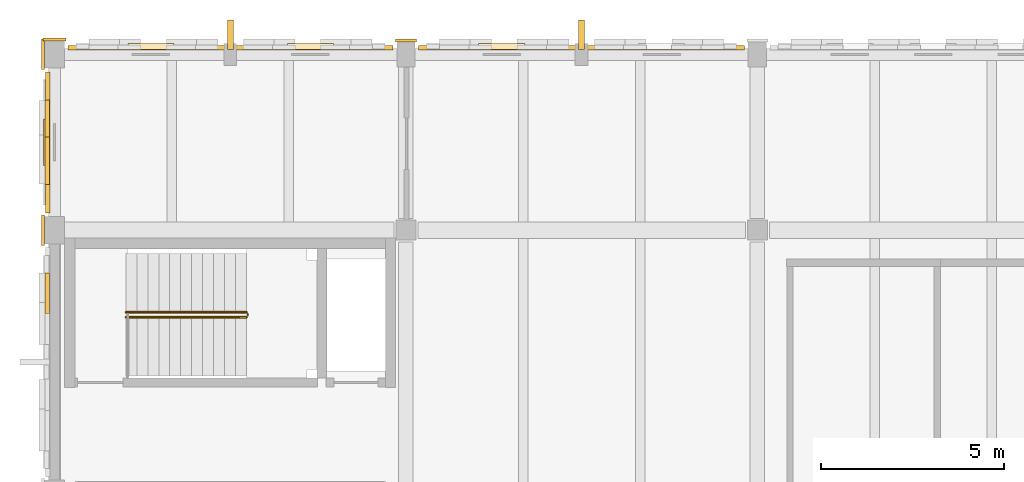
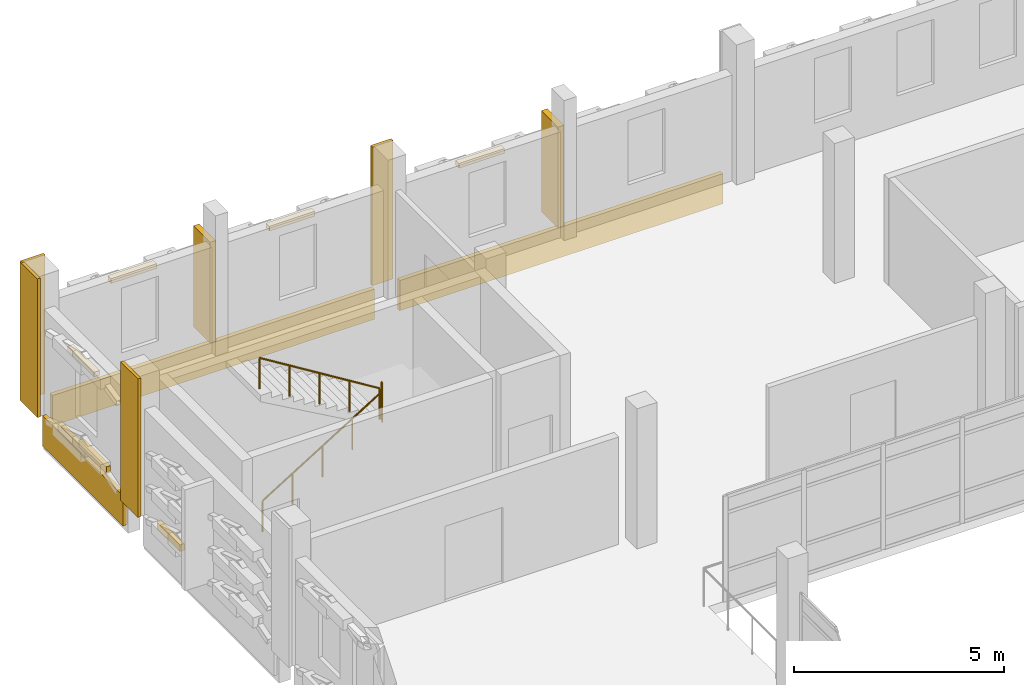
# One storey, part 45 of 50: 16 coverings, 3 railings.
"""IFC4 building model written with IfcOpenShell, lengths in metres."""

from ifc_helpers import new_model, si_unit, direction, frame, origin, origin_2d, place, context, subcontext, project, spatial, rectangle, circle, extrude, material, layer, layer_set, type_object, element, save


model = new_model("IFC4")

# Units and contexts
model_context = context("Model", 3, precision=1e-05, world=origin(), true_north=direction((0.0, 1.0)))
body_context = subcontext(model_context, "Body", "Model", "MODEL_VIEW")
ifc_project = project(units=[si_unit("LENGTHUNIT", "METRE"), si_unit("AREAUNIT", "SQUARE_METRE"), si_unit("VOLUMEUNIT", "CUBIC_METRE"), si_unit("PLANEANGLEUNIT", "RADIAN"), si_unit("MASSUNIT", "GRAM", prefix="KILO")], contexts=[model_context])

# Site, building, storey
site_placement = place(None, origin())
site = spatial("IfcSite", under=ifc_project, at=site_placement, CompositionType="ELEMENT")
building_placement = place(site_placement, origin())
building = spatial("IfcBuilding", under=site, at=building_placement, Name="Asteropetra Specialist Clinic", CompositionType="ELEMENT")
storey_placement = place(building_placement, frame((0.0, 0.0, 16.659912109375)))
storey = spatial("IfcBuildingStorey", under=building, at=storey_placement, Name="L04", CompositionType="ELEMENT", Elevation=16.659912109375)

# Coverings
ifc_material_1 = material(Name="Chevron ivory")
ifc_layer_1 = layer(ifc_material_1, 0.1201171875)
ifc_layer_set_1 = layer_set([ifc_layer_1], Name="Chevron ivory")
covering_type_1 = type_object("IfcCoveringType", Name="CLD-TER-IVORY", PredefinedType="CLADDING", material=ifc_layer_set_1)
covering_1_placement = place(storey_placement, frame((4.8125, 110.5849609375, -0.7998046875), z_axis=(0.0, 0.0, 1.0), x_axis=(1.0, 0.0, 0.0)))
element("IfcCovering", 1, at=covering_1_placement, inside=storey, type_object=covering_type_1, Name="Chevron Spandrel Band CV-1580", PredefinedType="CLADDING", context=body_context, shape_type="SweptSolid", body=[
    extrude(rectangle(XDim=8.875, YDim=0.1201171875, at=origin_2d()), origin(), (0.0, 0.0, 1.0), 0.8798828125),
])
covering_2_placement = place(storey_placement, frame((14.39990234375, 110.5849609375, -0.7998046875), z_axis=(0.0, 0.0, 1.0), x_axis=(1.0, 0.0, 0.0)))
element("IfcCovering", 2, at=covering_2_placement, inside=storey, type_object=covering_type_1, Name="Chevron Spandrel Band CV-1591", PredefinedType="CLADDING", context=body_context, shape_type="SweptSolid", body=[
    extrude(rectangle(XDim=8.89990234375, YDim=0.1201171875, at=origin_2d()), origin(), (0.0, 0.0, 1.0), 0.8798828125),
])
covering_3_placement = place(storey_placement, frame((-0.199951171875, 103.882080078125, 0.1201171875), z_axis=(0.0, 0.0, 1.0), x_axis=(1.0, 0.0, 0.0)))
element("IfcCovering", 3, at=covering_3_placement, inside=storey, type_object=covering_type_1, Name="Chevron Ceramic Band CV-1679", PredefinedType="CLADDING", context=body_context, shape_type="SweptSolid", body=[
    extrude(rectangle(XDim=0.1201171875, YDim=1.10400390625, at=origin_2d()), origin(), (0.0, 0.0, 1.0), 0.199951171875),
])
covering_4_placement = place(storey_placement, frame((-0.18505859375, 108.0, -0.7998046875), z_axis=(0.0, 0.0, 1.0), x_axis=(1.0, 0.0, 0.0)))
element("IfcCovering", 4, at=covering_4_placement, inside=storey, type_object=covering_type_1, Name="Chevron Spandrel Band CV-1691", PredefinedType="CLADDING", context=body_context, shape_type="SweptSolid", body=[
    extrude(rectangle(XDim=0.1201171875, YDim=3.85009765625, at=origin_2d()), origin(), (0.0, 0.0, 1.0), 0.8798828125),
])
for number, where, z_axis, x_axis, name in (
    (5, (-0.199951171875, 108.505615234375, 0.1201171875), (0.0, 0.0, 1.0), (1.0, 0.0, 0.0), "Chevron Ceramic Band CV-1692"),
    (6, (-0.199951171875, 107.494384765625, 0.26025390625), (0.0, 0.0, 1.0), (1.0, 0.0, 0.0), "Chevron Ceramic Band CV-1693"),
):
    element("IfcCovering", number, at=place(storey_placement, frame(where, z_axis=z_axis, x_axis=x_axis)), inside=storey, type_object=covering_type_1, Name=name, PredefinedType="CLADDING", context=body_context, shape_type="SweptSolid", body=[
        extrude(rectangle(XDim=0.1201171875, YDim=1.2958984375, at=origin_2d()), origin(), (0.0, 0.0, 1.0), 0.199951171875),
    ])
ifc_material_2 = material(Name="Pentelic marble ashlar", Category="masonry")
ifc_layer_2 = layer(ifc_material_2, 0.159912109375)
ifc_layer_set_2 = layer_set([ifc_layer_2], Name="Pentelic marble ashlar")
covering_type_2 = type_object("IfcCoveringType", Name="CRN-ENTAB-600", PredefinedType="MOLDING", material=ifc_layer_set_2)
covering_5_placement = place(storey_placement, frame((-0.306884765625, 105.60009765625, 0.02001953125), z_axis=(0.0, 0.0, 1.0), x_axis=(1.0, 0.0, 0.0)))
element("IfcCovering", 7, at=covering_5_placement, inside=storey, type_object=covering_type_2, Name="Neoclassical Pilaster Facing CM-0706", PredefinedType="MOLDING", context=body_context, shape_type="SweptSolid", body=[
    extrude(rectangle(XDim=0.080078125, YDim=0.830078125, at=origin_2d()), origin(), (0.0, 0.0, 1.0), 4.0400390625),
])
covering_6_placement = place(storey_placement, frame((0.0, 110.806884765625, 0.02001953125), z_axis=(0.0, 0.0, 1.0), x_axis=(1.0, 0.0, 0.0)))
element("IfcCovering", 8, at=covering_6_placement, inside=storey, type_object=covering_type_2, Name="Neoclassical Pilaster Facing CM-0707", PredefinedType="MOLDING", context=body_context, shape_type="SweptSolid", body=[
    extrude(rectangle(XDim=0.6298828125, YDim=0.080078125, at=origin_2d()), origin(), (0.0, 0.0, 1.0), 4.0400390625),
])
covering_7_placement = place(storey_placement, frame((-0.306884765625, 110.39990234375, 0.02001953125), z_axis=(0.0, 0.0, 1.0), x_axis=(1.0, 0.0, 0.0)))
element("IfcCovering", 9, at=covering_7_placement, inside=storey, type_object=covering_type_2, Name="Neoclassical Pilaster Facing CM-0708", PredefinedType="MOLDING", context=body_context, shape_type="SweptSolid", body=[
    extrude(rectangle(XDim=0.080078125, YDim=0.830078125, at=origin_2d()), origin(), (0.0, 0.0, 1.0), 4.0400390625),
])
covering_8_placement = place(storey_placement, frame((9.60009765625, 110.781982421875, 0.02001953125), z_axis=(0.0, 0.0, 1.0), x_axis=(1.0, 0.0, 0.0)))
element("IfcCovering", 10, at=covering_8_placement, inside=storey, type_object=covering_type_2, Name="Neoclassical Pilaster Facing CM-0710", PredefinedType="MOLDING", context=body_context, shape_type="SweptSolid", body=[
    extrude(rectangle(XDim=0.580078125, YDim=0.080078125, at=origin_2d()), origin(), (0.0, 0.0, 1.0), 4.0400390625),
])
for number, where, z_axis, x_axis, name in (
    (11, (6.990478515625, 110.614990234375, 2.77001953125), (0.0, 0.0, 1.0), (1.0, 0.0, 0.0), "Classical Window Hood WH-1578"),
    (12, (2.634521484375, 110.614990234375, 2.77001953125), (0.0, 0.0, 1.0), (1.0, 0.0, 0.0), "Classical Window Hood WH-1579"),
    (13, (12.216064453125, 110.614990234375, 2.77001953125), (0.0, 0.0, 1.0), (1.0, 0.0, 0.0), "Classical Window Hood WH-1590"),
):
    element("IfcCovering", number, at=place(storey_placement, frame(where, z_axis=z_axis, x_axis=x_axis)), inside=storey, type_object=covering_type_2, Name=name, PredefinedType="MOLDING", context=body_context, shape_type="SweptSolid", body=[
        extrude(rectangle(XDim=1.260009765625, YDim=0.159912109375, at=origin_2d()), origin(), (0.0, 0.0, 1.0), 0.139892578125),
    ])
covering_9_placement = place(storey_placement, frame((-0.215087890625, 108.0, 2.77001953125), z_axis=(0.0, 0.0, 1.0), x_axis=(1.0, 0.0, 0.0)))
element("IfcCovering", 14, at=covering_9_placement, inside=storey, type_object=covering_type_2, Name="Classical Window Hood WH-1690", PredefinedType="MOLDING", context=body_context, shape_type="SweptSolid", body=[
    extrude(rectangle(XDim=0.159912109375, YDim=1.260009765625, at=origin_2d()), origin(), (0.0, 0.0, 1.0), 0.139892578125),
])
ifc_material_3 = material(Name="Pentelic marble solar fin", Category="masonry")
ifc_layer_3 = layer(ifc_material_3, 0.080078125)
ifc_layer_set_3 = layer_set([ifc_layer_3], Name="Pentelic marble solar fin")
covering_type_3 = type_object("IfcCoveringType", Name="FIN-SOLAR-800", PredefinedType="MOLDING", material=ifc_layer_set_3)
for number, where, z_axis, x_axis, name in (
    (15, (4.8125, 110.93994140625, 0.070068359375), (0.0, 0.0, 1.0), (1.0, 0.0, 0.0), "Solar Shading Fin FN-0112"),
    (16, (14.39990234375, 110.93994140625, 0.070068359375), (0.0, 0.0, 1.0), (1.0, 0.0, 0.0), "Solar Shading Fin FN-0113"),
):
    element("IfcCovering", number, at=place(storey_placement, frame(where, z_axis=z_axis, x_axis=x_axis)), inside=storey, type_object=covering_type_3, Name=name, PredefinedType="MOLDING", context=body_context, shape_type="SweptSolid", body=[
        extrude(rectangle(XDim=0.159912109375, YDim=0.800048828125, at=origin_2d()), origin(), (0.0, 0.0, 1.0), 2.93994140625),
    ])

# Railings
ifc_material_4 = material(Name="Steel S355 and laminated glass guard", Category="steel")
railing_type_1 = type_object("IfcRailingType", Name="GRD-INT-1120", PredefinedType="GUARDRAIL", material=ifc_material_4)
railing_1_placement = place(storey_placement, frame((5.280029296875, 103.27001953125, 2.0400390625)))
element("IfcRailing", 17, at=railing_1_placement, inside=storey, type_object=railing_type_1, Name="Landing Slot Guard ST01-L04", PredefinedType="GUARDRAIL", context=body_context, shape_type="SweptSolid", body=[
    extrude(circle(Radius=0.02392578125, at=origin_2d()), frame((0.0, 0.0, 1.09619140625), z_axis=(0.0, 1.0, 0.0), x_axis=(-1.0, 0.0, 0.0)), (0.0, 0.0, 1.0), 0.0400390625),
    extrude(circle(Radius=0.02099609375, at=origin_2d()), origin(), (0.0, 0.0, 1.0), 1.072021484375),
    extrude(circle(Radius=0.02099609375, at=origin_2d()), frame((0.0, 0.0400390625, 0.0)), (0.0, 0.0, 1.0), 1.072021484375),
])
ifc_material_5 = material(Name="Brushed stainless steel handrail", Category="steel")
railing_type_2 = type_object("IfcRailingType", Name="HRL-STAIR-920", PredefinedType="HANDRAIL", material=ifc_material_5)
railing_2_placement = place(storey_placement, frame((1.949951171875, 103.219970703125, 0.0)))
element("IfcRailing", 18, at=railing_2_placement, inside=storey, type_object=railing_type_2, Name="Stair Handrail ST01-L04 F1", PredefinedType="HANDRAIL", context=body_context, shape_type="SweptSolid", body=[
    extrude(circle(Radius=0.02392578125, at=origin_2d()), frame((0.0, 0.0, 0.89599609375), z_axis=(0.850593546085, 0.0, 0.525823753132), x_axis=(0.0, 1.0, 0.0)), (0.0, 0.0, 1.0), 3.879638671875),
    extrude(circle(Radius=0.02099609375, at=origin_2d()), origin(), (0.0, 0.0, 1.0), 0.871826171875),
    extrude(circle(Radius=0.02099609375, at=origin_2d()), frame((0.824951171875, 0.0, 0.510009765625)), (0.0, 0.0, 1.0), 0.871826171875),
    extrude(circle(Radius=0.02099609375, at=origin_2d()), frame((1.64990234375, 0.0, 1.02001953125)), (0.0, 0.0, 1.0), 0.871826171875),
    extrude(circle(Radius=0.02099609375, at=origin_2d()), frame((2.47509765625, 0.0, 1.530029296875)), (0.0, 0.0, 1.0), 0.871826171875),
    extrude(circle(Radius=0.02099609375, at=origin_2d()), frame((3.300048828125, 0.0, 2.0400390625)), (0.0, 0.0, 1.0), 0.871826171875),
])
railing_3_placement = place(storey_placement, frame((5.25, 103.360107421875, 2.0400390625)))
element("IfcRailing", 19, at=railing_3_placement, inside=storey, type_object=railing_type_2, Name="Stair Handrail ST01-L04 F2", PredefinedType="HANDRAIL", context=body_context, shape_type="SweptSolid", body=[
    extrude(circle(Radius=0.02392578125, at=origin_2d()), frame((0.0, 0.0, 0.89599609375), z_axis=(-0.850593546085, 0.0, 0.525823753132), x_axis=(0.0, -1.0, 0.0)), (0.0, 0.0, 1.0), 3.879638671875),
    extrude(circle(Radius=0.02099609375, at=origin_2d()), origin(), (0.0, 0.0, 1.0), 0.871826171875),
    extrude(circle(Radius=0.02099609375, at=origin_2d()), frame((-0.824951171875, 0.0, 0.510009765625)), (0.0, 0.0, 1.0), 0.871826171875),
    extrude(circle(Radius=0.02099609375, at=origin_2d()), frame((-1.64990234375, 0.0, 1.02001953125)), (0.0, 0.0, 1.0), 0.871826171875),
    extrude(circle(Radius=0.02099609375, at=origin_2d()), frame((-2.47509765625, 0.0, 1.530029296875)), (0.0, 0.0, 1.0), 0.871826171875),
    extrude(circle(Radius=0.02099609375, at=origin_2d()), frame((-3.300048828125, 0.0, 2.0400390625)), (0.0, 0.0, 1.0), 0.871826171875),
])

save(model, "model.ifc")
